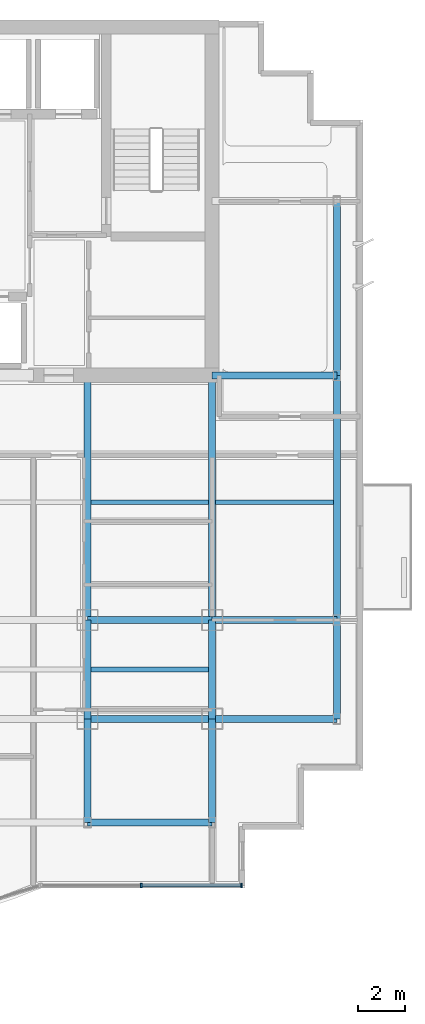
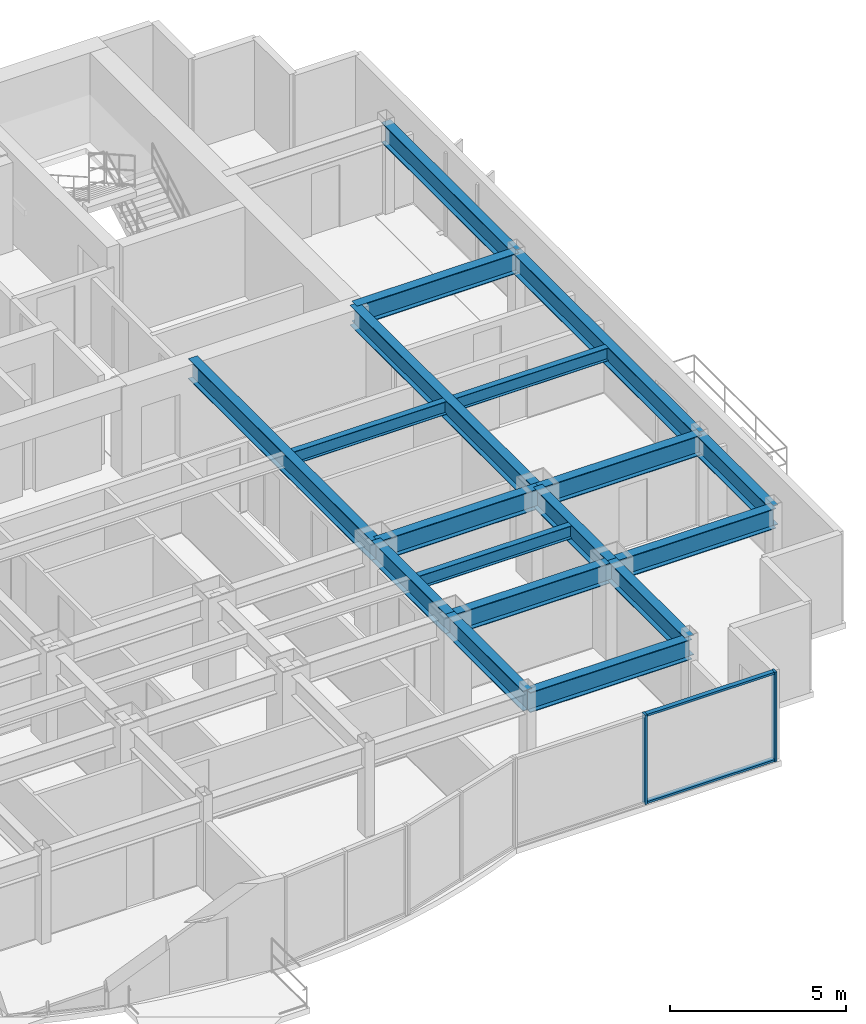
# One storey, part 4 of 11: 18 beams, 4 members, 1 element without a shape of its own.
"""IFC4 building model written with IfcOpenShell, lengths in metres."""

import ifcopenshell
import ifcopenshell.guid

model = None  # the IFC model being written
_history = None  # IfcOwnerHistory: only IFC2X3 demands one
_inside = {}  # id of a spatial element -> (the spatial element, [elements in it])
_under = {}  # id of a project, library or spatial element -> (it, [spatial elements below it])
_declared = {}  # id of a project -> (the project, [libraries it declares])
_typed = {}  # id of a type object -> (the type object, [elements of that type])
_made_of = {}  # id of a material, layer set ... -> (it, [elements and type objects made of it])


def new_model(schema):
    """Start an empty IFC model of exactly this schema.

    Asked for "IFC4X3", IfcOpenShell would pick the latest addendum, in which some entities
    have other attributes; the version numbers below select the first issue.
    IFC2X3 requires an IfcOwnerHistory on every rooted entity: one is made here for all.
    """
    global model, _history
    if schema == "IFC4X3":
        model = ifcopenshell.file(schema_version=(4, 3, 0, 0))
    else:
        model = ifcopenshell.file(schema=schema)
    _inside.clear()
    _under.clear()
    _declared.clear()
    _typed.clear()
    _made_of.clear()
    _history = None
    if model.schema == "IFC2X3":
        org = make("IfcOrganization", Name="unknown")
        user = make(
            "IfcPersonAndOrganization",
            ThePerson=make("IfcPerson", FamilyName="unknown"),
            TheOrganization=org,
        )
        app = make(
            "IfcApplication",
            ApplicationDeveloper=org,
            Version="unknown",
            ApplicationFullName="unknown",
            ApplicationIdentifier="unknown",
        )
        _history = make(
            "IfcOwnerHistory",
            OwningUser=user,
            OwningApplication=app,
            ChangeAction="ADDED",
            CreationDate=0,
        )
    return model


def make(cls, **values):
    """One entity of the class cls with the attributes given. An attribute that is None is left unset."""
    return model.create_entity(
        cls, **{name: value for name, value in values.items() if value is not None}
    )


def rooted(cls, **values):
    """An entity with a GlobalId (a new one), such as an element, a storey or a relation."""
    return make(cls, GlobalId=ifcopenshell.guid.new(), OwnerHistory=_history, **values)


def si_unit(unit_type, name, prefix=None):
    """IfcSIUnit, for example si_unit("LENGTHUNIT", "METRE", prefix="MILLI")."""
    return make("IfcSIUnit", UnitType=unit_type, Prefix=prefix, Name=name)


def assignment(units):
    """IfcUnitAssignment: the units of a project."""
    return None if units is None else make("IfcUnitAssignment", Units=units)


def point(xyz):
    """IfcCartesianPoint."""
    return None if xyz is None else make("IfcCartesianPoint", Coordinates=xyz)


def direction(xyz):
    """IfcDirection."""
    return None if xyz is None else make("IfcDirection", DirectionRatios=xyz)


def frame(location, z_axis=None, x_axis=None):
    """IfcAxis2Placement3D, a coordinate frame: its origin and axes. An axis left out is left unset."""
    return make(
        "IfcAxis2Placement3D",
        Location=point(location),
        Axis=direction(z_axis),
        RefDirection=direction(x_axis),
    )


def frame_2d(location, x_axis=None):
    """IfcAxis2Placement2D, a coordinate frame in the plane: its origin and x axis."""
    return make(
        "IfcAxis2Placement2D", Location=point(location), RefDirection=direction(x_axis)
    )


def origin():
    """The frame at (0, 0, 0) with its axes left unset."""
    return frame((0.0, 0.0, 0.0))


def origin_2d():
    """The frame at (0, 0) in the plane with its x axis left unset."""
    return frame_2d((0.0, 0.0))


def place(relative_to, where):
    """IfcLocalPlacement: puts the frame where relative to a parent placement (None: the world)."""
    return make(
        "IfcLocalPlacement", PlacementRelTo=relative_to, RelativePlacement=where
    )


def context(
    kind, dimensions, precision=None, world=None, true_north=None, identifier=None
):
    """IfcGeometricRepresentationContext, for example the 3D "Model" context."""
    return make(
        "IfcGeometricRepresentationContext",
        ContextIdentifier=identifier,
        ContextType=kind,
        CoordinateSpaceDimension=dimensions,
        Precision=precision,
        WorldCoordinateSystem=world,
        TrueNorth=true_north,
    )


def subcontext(parent, identifier, kind, view, scale=None):
    """IfcGeometricRepresentationSubContext, for example "Body" below "Model"."""
    return make(
        "IfcGeometricRepresentationSubContext",
        ContextIdentifier=identifier,
        ContextType=kind,
        ParentContext=parent,
        TargetScale=scale,
        TargetView=view,
    )


def project(units=None, contexts=None):
    """IfcProject with its units and contexts."""
    return rooted(
        "IfcProject",
        Name="project",
        RepresentationContexts=contexts,
        UnitsInContext=assignment(units),
    )


def spatial(cls, under=None, at=None, **own):
    """A site, building, storey or space (cls), placed at a placement, below another one or the project."""
    s = rooted(cls, ObjectPlacement=at, **own)
    if under is not None:
        _under.setdefault(under.id(), (under, []))[1].append(s)
    return s


def profile(cls, at=None, kind="AREA", **sizes):
    """A parametric profile (cls). Its sizes go by their IFC names, for example OverallWidth=200.0."""
    return make(cls, ProfileType=kind, Position=at, **sizes)


def rectangle(**sizes):
    """IfcRectangleProfileDef."""
    return profile("IfcRectangleProfileDef", **sizes)


def i_section(**sizes):
    """IfcIShapeProfileDef."""
    return profile("IfcIShapeProfileDef", **sizes)


def extrude(swept, where, along, depth):
    """IfcExtrudedAreaSolid: the profile swept, set in the frame where, extruded along a direction by depth."""
    return make(
        "IfcExtrudedAreaSolid",
        SweptArea=swept,
        Position=where,
        ExtrudedDirection=direction(along),
        Depth=depth,
    )


def shape(context_of_items, identifier, shape_type, items):
    """IfcShapeRepresentation: the items that make up one representation, for example the "Body"."""
    return make(
        "IfcShapeRepresentation",
        ContextOfItems=context_of_items,
        RepresentationIdentifier=identifier,
        RepresentationType=shape_type,
        Items=items,
    )


def source(mapping_origin, context_of_items, identifier, shape_type, items):
    """IfcRepresentationMap: a shape defined once, which mapped items show again and again."""
    return make(
        "IfcRepresentationMap",
        MappingOrigin=mapping_origin,
        MappedRepresentation=shape(context_of_items, identifier, shape_type, items),
    )


def transform(
    local_origin,
    x_axis=None,
    y_axis=None,
    z_axis=None,
    scale=None,
    scale2=None,
    scale3=None,
    uniform=True,
):
    """IfcCartesianTransformationOperator3D, or its non-uniform kind. x_axis, y_axis, z_axis: its Axis1, 2, 3."""
    if uniform:
        return make(
            "IfcCartesianTransformationOperator3D",
            Axis1=direction(x_axis),
            Axis2=direction(y_axis),
            LocalOrigin=point(local_origin),
            Scale=scale,
            Axis3=direction(z_axis),
        )
    return make(
        "IfcCartesianTransformationOperator3DnonUniform",
        Axis1=direction(x_axis),
        Axis2=direction(y_axis),
        LocalOrigin=point(local_origin),
        Scale=scale,
        Axis3=direction(z_axis),
        Scale2=scale2,
        Scale3=scale3,
    )


def mapped(mapping_source, mapping_target):
    """IfcMappedItem: shows the shape of a source again, moved by a transform."""
    return make(
        "IfcMappedItem", MappingSource=mapping_source, MappingTarget=mapping_target
    )


def material(Name=None, Category=None):
    """IfcMaterial."""
    return make("IfcMaterial", Name=Name, Category=Category)


def layer(
    of_material, thickness, ventilated=None, Name=None, Category=None, Priority=None
):
    """IfcMaterialLayer: one layer of a wall or slab, of a material (None: an air gap)."""
    return make(
        "IfcMaterialLayer",
        Material=of_material,
        LayerThickness=thickness,
        IsVentilated=ventilated,
        Name=Name,
        Category=Category,
        Priority=Priority,
    )


def layer_set(layers, Name=None):
    """IfcMaterialLayerSet."""
    return make("IfcMaterialLayerSet", MaterialLayers=layers, LayerSetName=Name)


def material_profile(
    of_material, cross_section, Name=None, Category=None, Priority=None
):
    """IfcMaterialProfile: a cross section and its material."""
    return make(
        "IfcMaterialProfile",
        Name=Name,
        Material=of_material,
        Profile=cross_section,
        Priority=Priority,
        Category=Category,
    )


def profile_set(profiles, Name=None, composite=None):
    """IfcMaterialProfileSet."""
    return make(
        "IfcMaterialProfileSet",
        Name=Name,
        MaterialProfiles=profiles,
        CompositeProfile=composite,
    )


def made_of(thing, what):
    """Note that an element or type object is made of a material, layer set ...; save() writes the relation."""
    if what is not None:
        _made_of.setdefault(what.id(), (what, []))[1].append(thing)
    return thing


def type_object(cls, material=None, **own):
    """A type object (cls), such as IfcWallType, which elements share."""
    return made_of(rooted(cls, **own), material)


def element(
    cls,
    number,
    at=None,
    inside=None,
    cuts=None,
    type_object=None,
    material=None,
    context=None,
    identifier="Body",
    shape_type=None,
    held_by="IfcProductDefinitionShape",
    body=None,
    shapes=None,
    **own,
):
    """One element of the class cls, such as IfcWall. Its Tag is "e" and its number.

    at: its placement. inside: the storey or other place that contains it. cuts: it is an
    opening in that element (IfcRelVoidsElement). A single representation is given by context,
    identifier, shape_type and body (its items); several are given by shapes. held_by: the class
    of the entity that holds the representations. save() writes the other relations.
    """
    e = rooted(cls, Tag="e%d" % number, ObjectPlacement=at, **own)
    if body is not None:
        shapes = [shape(context, identifier, shape_type, body)]
    if shapes is not None:
        e.Representation = make(held_by, Representations=shapes)
    if inside is not None:
        _inside.setdefault(inside.id(), (inside, []))[1].append(e)
    if cuts is not None:
        rooted(
            "IfcRelVoidsElement", RelatingBuildingElement=cuts, RelatedOpeningElement=e
        )
    if type_object is not None:
        _typed.setdefault(type_object.id(), (type_object, []))[1].append(e)
    return made_of(e, material)


def aggregate(whole, parts):
    """IfcRelAggregates: a whole, such as a stair, and the parts it consists of."""
    return rooted("IfcRelAggregates", RelatingObject=whole, RelatedObjects=parts)


def save(model, path):
    """Write the relations noted so far, then the file.

    IfcRelAggregates (storeys below a building ...), IfcRelContainedInSpatialStructure (elements
    in a storey), IfcRelDefinesByType, IfcRelAssociatesMaterial and IfcRelDeclares: one each for
    every whole, place, type object, material and project.
    """
    for whole, parts in _under.values():
        aggregate(whole, parts)
    for where, things in _inside.values():
        rooted(
            "IfcRelContainedInSpatialStructure",
            RelatedElements=things,
            RelatingStructure=where,
        )
    for kind, things in _typed.values():
        rooted("IfcRelDefinesByType", RelatedObjects=things, RelatingType=kind)
    for what, things in _made_of.values():
        rooted("IfcRelAssociatesMaterial", RelatedObjects=things, RelatingMaterial=what)
    for by, libraries in _declared.values():
        rooted("IfcRelDeclares", RelatingContext=by, RelatedDefinitions=libraries)
    model.write(path)


model = new_model("IFC4")

# Units and contexts
model_context = context("Model", 3, precision=1e-05, world=origin(), true_north=direction((0.0, 1.0)))
body_context = subcontext(model_context, "Body", "Model", "MODEL_VIEW")
ifc_project = project(units=[si_unit("LENGTHUNIT", "METRE"), si_unit("AREAUNIT", "SQUARE_METRE"), si_unit("VOLUMEUNIT", "CUBIC_METRE"), si_unit("PLANEANGLEUNIT", "RADIAN"), si_unit("MASSUNIT", "GRAM", prefix="KILO")], contexts=[model_context])

# Site, building, storey
site_placement = place(None, origin())
site = spatial("IfcSite", under=ifc_project, at=site_placement, CompositionType="ELEMENT")
building_placement = place(site_placement, origin())
building = spatial("IfcBuilding", under=site, at=building_placement, Name="Qianlan Lanfeng Residences", CompositionType="ELEMENT")
storey_placement = place(building_placement, frame((0.0, 0.0, 149.10009765625)))
storey = spatial("IfcBuildingStorey", under=building, at=storey_placement, Name="L40", CompositionType="ELEMENT", Elevation=149.10009765625)

# Beams
ifc_material_1 = material(Name="Steel SN490B", Category="steel")
ifc_material_profile_1 = material_profile(ifc_material_1, i_section(OverallWidth=0.300048828125, OverallDepth=0.699951171875, WebThickness=0.012939453125, FlangeThickness=0.02392578125, at=origin_2d()), Name="H 700x300x13x24")
ifc_profile_set_1 = profile_set([ifc_material_profile_1], Name="Steel SN490B")
beam_type_1 = type_object("IfcBeamType", Name="G-750", PredefinedType="BEAM", material=ifc_profile_set_1)
beam_1_placement = place(storey_placement, frame((37.10009765625, 10.60009765625, 2.75), z_axis=(1.0, 0.0, 0.0), x_axis=(0.0, 1.0, 0.0)))
element("IfcBeam", 1, at=beam_1_placement, inside=storey, type_object=beam_type_1, Name="Structural beam G-750", PredefinedType="BEAM", context=body_context, shape_type="SweptSolid", body=[
    extrude(i_section(OverallWidth=0.300048828125, OverallDepth=0.699951171875, WebThickness=0.012939453125, FlangeThickness=0.02392578125, at=origin_2d()), origin(), (0.0, 0.0, 1.0), 5.2998046875),
])
beam_2_placement = place(storey_placement, frame((42.39990234375, 10.60009765625, 2.75), z_axis=(1.0, 0.0, 0.0), x_axis=(0.0, 1.0, 0.0)))
element("IfcBeam", 2, at=beam_2_placement, inside=storey, type_object=beam_type_1, Name="Structural beam G-750", PredefinedType="BEAM", context=body_context, shape_type="SweptSolid", body=[
    extrude(i_section(OverallWidth=0.300048828125, OverallDepth=0.699951171875, WebThickness=0.012939453125, FlangeThickness=0.02392578125, at=origin_2d()), origin(), (0.0, 0.0, 1.0), 5.300048828125),
])
beam_3_placement = place(storey_placement, frame((37.10009765625, 14.800048828125, 2.75), z_axis=(1.0, 0.0, 0.0), x_axis=(0.0, 1.0, 0.0)))
element("IfcBeam", 3, at=beam_3_placement, inside=storey, type_object=beam_type_1, Name="Structural beam G-750", PredefinedType="BEAM", context=body_context, shape_type="SweptSolid", body=[
    extrude(i_section(OverallWidth=0.300048828125, OverallDepth=0.699951171875, WebThickness=0.012939453125, FlangeThickness=0.02392578125, at=origin_2d()), origin(), (0.0, 0.0, 1.0), 5.2998046875),
])
for number, where, z_axis, x_axis, name in (
    (4, (42.39990234375, 14.800048828125, 2.75), (1.0, 0.0, 0.0), (0.0, 1.0, 0.0), "Structural beam G-750"),
    (5, (42.39990234375, 25.199951171875, 2.75), (1.0, 0.0, 0.0), (0.0, 1.0, 0.0), "Structural beam G-750"),
):
    element("IfcBeam", number, at=place(storey_placement, frame(where, z_axis=z_axis, x_axis=x_axis)), inside=storey, type_object=beam_type_1, Name=name, PredefinedType="BEAM", context=body_context, shape_type="SweptSolid", body=[
        extrude(i_section(OverallWidth=0.300048828125, OverallDepth=0.699951171875, WebThickness=0.012939453125, FlangeThickness=0.02392578125, at=origin_2d()), origin(), (0.0, 0.0, 1.0), 5.300048828125),
    ])
beam_4_placement = place(storey_placement, frame((37.10009765625, 6.199951171875, 2.75), z_axis=(0.0, 1.0, 0.0), x_axis=(-1.0, 0.0, 0.0)))
element("IfcBeam", 6, at=beam_4_placement, inside=storey, type_object=beam_type_1, Name="Structural beam G-750", PredefinedType="BEAM", context=body_context, shape_type="SweptSolid", body=[
    extrude(i_section(OverallWidth=0.300048828125, OverallDepth=0.699951171875, WebThickness=0.012939453125, FlangeThickness=0.02392578125, at=origin_2d()), origin(), (0.0, 0.0, 1.0), 4.400146484375),
])
beam_5_placement = place(storey_placement, frame((37.10009765625, 10.60009765625, 2.75), z_axis=(0.0, 1.0, 0.0), x_axis=(-1.0, 0.0, 0.0)))
element("IfcBeam", 7, at=beam_5_placement, inside=storey, type_object=beam_type_1, Name="Structural beam G-750", PredefinedType="BEAM", context=body_context, shape_type="SweptSolid", body=[
    extrude(i_section(OverallWidth=0.300048828125, OverallDepth=0.699951171875, WebThickness=0.012939453125, FlangeThickness=0.02392578125, at=origin_2d()), origin(), (0.0, 0.0, 1.0), 4.199951171875),
])
beam_6_placement = place(storey_placement, frame((37.10009765625, 14.800048828125, 2.75), z_axis=(0.0, 1.0, 0.0), x_axis=(-1.0, 0.0, 0.0)))
element("IfcBeam", 8, at=beam_6_placement, inside=storey, type_object=beam_type_1, Name="Structural beam G-750", PredefinedType="BEAM", context=body_context, shape_type="SweptSolid", body=[
    extrude(i_section(OverallWidth=0.300048828125, OverallDepth=0.699951171875, WebThickness=0.012939453125, FlangeThickness=0.02392578125, at=origin_2d()), origin(), (0.0, 0.0, 1.0), 10.39990234375),
])
beam_7_placement = place(storey_placement, frame((42.39990234375, 6.199951171875, 2.75), z_axis=(0.0, 1.0, 0.0), x_axis=(-1.0, 0.0, 0.0)))
element("IfcBeam", 9, at=beam_7_placement, inside=storey, type_object=beam_type_1, Name="Structural beam G-750", PredefinedType="BEAM", context=body_context, shape_type="SweptSolid", body=[
    extrude(i_section(OverallWidth=0.300048828125, OverallDepth=0.699951171875, WebThickness=0.012939453125, FlangeThickness=0.02392578125, at=origin_2d()), origin(), (0.0, 0.0, 1.0), 4.400146484375),
])
beam_8_placement = place(storey_placement, frame((42.39990234375, 10.60009765625, 2.75), z_axis=(0.0, 1.0, 0.0), x_axis=(-1.0, 0.0, 0.0)))
element("IfcBeam", 10, at=beam_8_placement, inside=storey, type_object=beam_type_1, Name="Structural beam G-750", PredefinedType="BEAM", context=body_context, shape_type="SweptSolid", body=[
    extrude(i_section(OverallWidth=0.300048828125, OverallDepth=0.699951171875, WebThickness=0.012939453125, FlangeThickness=0.02392578125, at=origin_2d()), origin(), (0.0, 0.0, 1.0), 4.199951171875),
])
beam_9_placement = place(storey_placement, frame((42.39990234375, 14.800048828125, 2.75), z_axis=(0.0, 1.0, 0.0), x_axis=(-1.0, 0.0, 0.0)))
element("IfcBeam", 11, at=beam_9_placement, inside=storey, type_object=beam_type_1, Name="Structural beam G-750", PredefinedType="BEAM", context=body_context, shape_type="SweptSolid", body=[
    extrude(i_section(OverallWidth=0.300048828125, OverallDepth=0.699951171875, WebThickness=0.012939453125, FlangeThickness=0.02392578125, at=origin_2d()), origin(), (0.0, 0.0, 1.0), 10.39990234375),
])
ifc_material_profile_2 = material_profile(ifc_material_1, i_section(OverallWidth=0.199951171875, OverallDepth=0.449951171875, WebThickness=0.009033203125, FlangeThickness=0.013916015625, at=origin_2d()), Name="H 450x200x9x14")
ifc_profile_set_2 = profile_set([ifc_material_profile_2], Name="Steel SN490B")
beam_type_2 = type_object("IfcBeamType", Name="J-450", PredefinedType="JOIST", material=ifc_profile_set_2)
for number, where, z_axis, x_axis, name in (
    (12, (37.25, 12.699951171875, 2.875), (1.0, 0.0, 0.0), (0.0, 1.0, 0.0), "Structural beam J-450"),
    (13, (37.25, 19.800048828125, 2.875), (1.0, 0.0, 0.0), (0.0, 1.0, 0.0), "Structural beam J-450"),
    (14, (42.550048828125, 19.800048828125, 2.875), (1.0, 0.0, 0.0), (0.0, 1.0, 0.0), "Structural beam J-450"),
):
    element("IfcBeam", number, at=place(storey_placement, frame(where, z_axis=z_axis, x_axis=x_axis)), inside=storey, type_object=beam_type_2, Name=name, PredefinedType="JOIST", context=body_context, shape_type="SweptSolid", body=[
        extrude(i_section(OverallWidth=0.199951171875, OverallDepth=0.449951171875, WebThickness=0.009033203125, FlangeThickness=0.013916015625, at=origin_2d()), origin(), (0.0, 0.0, 1.0), 5.0),
    ])
ifc_material_profile_3 = material_profile(ifc_material_1, i_section(OverallWidth=0.300048828125, OverallDepth=0.699951171875, WebThickness=0.012939453125, FlangeThickness=0.02392578125, at=origin_2d()), Name="H 700x300x13x24")
ifc_profile_set_3 = profile_set([ifc_material_profile_3], Name="Steel SN490B")
beam_type_3 = type_object("IfcBeamType", Name="SG-750", PredefinedType="SPANDREL", material=ifc_profile_set_3)
beam_10_placement = place(storey_placement, frame((37.10009765625, 6.199951171875, 2.739990234375), z_axis=(1.0, 0.0, 0.0), x_axis=(0.0, 1.0, 0.0)))
element("IfcBeam", 15, at=beam_10_placement, inside=storey, type_object=beam_type_3, Name="Structural beam SG-750", PredefinedType="SPANDREL", context=body_context, shape_type="SweptSolid", body=[
    extrude(i_section(OverallWidth=0.300048828125, OverallDepth=0.699951171875, WebThickness=0.012939453125, FlangeThickness=0.02392578125, at=origin_2d()), origin(), (0.0, 0.0, 1.0), 5.2998046875),
])
beam_11_placement = place(storey_placement, frame((47.699951171875, 10.60009765625, 2.739990234375), z_axis=(0.0, 1.0, 0.0), x_axis=(-1.0, 0.0, 0.0)))
element("IfcBeam", 16, at=beam_11_placement, inside=storey, type_object=beam_type_3, Name="Structural beam SG-750", PredefinedType="SPANDREL", context=body_context, shape_type="SweptSolid", body=[
    extrude(i_section(OverallWidth=0.300048828125, OverallDepth=0.699951171875, WebThickness=0.012939453125, FlangeThickness=0.02392578125, at=origin_2d()), origin(), (0.0, 0.0, 1.0), 4.199951171875),
])
beam_12_placement = place(storey_placement, frame((47.699951171875, 14.800048828125, 2.739990234375), z_axis=(0.0, 1.0, 0.0), x_axis=(-1.0, 0.0, 0.0)))
element("IfcBeam", 17, at=beam_12_placement, inside=storey, type_object=beam_type_3, Name="Structural beam SG-750", PredefinedType="SPANDREL", context=body_context, shape_type="SweptSolid", body=[
    extrude(i_section(OverallWidth=0.300048828125, OverallDepth=0.699951171875, WebThickness=0.012939453125, FlangeThickness=0.02392578125, at=origin_2d()), origin(), (0.0, 0.0, 1.0), 10.39990234375),
])
beam_13_placement = place(storey_placement, frame((47.699951171875, 25.199951171875, 2.739990234375), z_axis=(0.0, 1.0, 0.0), x_axis=(-1.0, 0.0, 0.0)))
element("IfcBeam", 18, at=beam_13_placement, inside=storey, type_object=beam_type_3, Name="Structural beam SG-750", PredefinedType="SPANDREL", context=body_context, shape_type="SweptSolid", body=[
    extrude(i_section(OverallWidth=0.300048828125, OverallDepth=0.699951171875, WebThickness=0.012939453125, FlangeThickness=0.02392578125, at=origin_2d()), origin(), (0.0, 0.0, 1.0), 7.400146484375),
])

# Curtain wall, members
ifc_material_2 = material(Name="Anodised Bronze Aluminium 6063-T6", Category="aluminium")
ifc_layer = layer(ifc_material_2, 0.219970703125)
ifc_layer_set = layer_set([ifc_layer], Name="Anodised Bronze Aluminium 6063-T6")
curtain_wall_type = type_object("IfcCurtainWallType", Name="CW-04", PredefinedType="NOTDEFINED", material=ifc_layer_set)
curtain_wall_placement = place(storey_placement, origin())
curtain_wall = element("IfcCurtainWall", 19, at=curtain_wall_placement, inside=storey, type_object=curtain_wall_type, Name="L40 Unitised Curtain Wall CWR-L40-05 (CW-04)", PredefinedType="NOTDEFINED")
ifc_material_profile_4 = material_profile(ifc_material_2, rectangle(XDim=0.074951171875, YDim=0.14990234375, at=origin_2d()), Name="ALU TRANSOM 75x150")
ifc_profile_set_4 = profile_set([ifc_material_profile_4], Name="Anodised Bronze Aluminium 6063-T6")
member_type_1 = type_object("IfcMemberType", Name="CWT-150", PredefinedType="USERDEFINED", material=ifc_profile_set_4)
shared_shape_1 = source(origin(), body_context, "Body", "SweptSolid", [
    extrude(rectangle(XDim=0.074951171875, YDim=0.14990234375, at=origin_2d()), origin(), (0.0, 0.0, 1.0), 4.178955078125),
])
member_1_placement = place(storey_placement, frame((39.426025390625, 3.52001953125, 0.037353515625), z_axis=(1.0, 0.0, 0.0), x_axis=(0.0, 0.0, 1.0)))
member_1 = element("IfcMember", 20, at=member_1_placement, type_object=member_type_1, Name="CWR-L40-05 Transom 2-BOT", ObjectType="TRANSOM", PredefinedType="USERDEFINED", context=body_context, shape_type="MappedRepresentation", body=[
    mapped(shared_shape_1, transform((0.0, 0.0, 0.0), scale=1.0)),
])
member_2_placement = place(storey_placement, frame((39.426025390625, 3.52001953125, 3.0625), z_axis=(1.0, 0.0, 0.0), x_axis=(0.0, 0.0, 1.0)))
member_2 = element("IfcMember", 21, at=member_2_placement, type_object=member_type_1, Name="CWR-L40-05 Transom 2-TOP", ObjectType="TRANSOM", PredefinedType="USERDEFINED", context=body_context, shape_type="MappedRepresentation", body=[
    mapped(shared_shape_1, transform((0.0, 0.0, 0.0), scale=1.0)),
])
ifc_material_profile_5 = material_profile(ifc_material_2, rectangle(XDim=0.074951171875, YDim=0.179931640625, at=origin_2d()), Name="ALU MULLION 75x180")
ifc_profile_set_5 = profile_set([ifc_material_profile_5], Name="Anodised Bronze Aluminium 6063-T6")
member_type_2 = type_object("IfcMemberType", Name="CWM-180", PredefinedType="MULLION", material=ifc_profile_set_5)
shared_shape_2 = source(origin(), body_context, "Body", "SweptSolid", [
    extrude(rectangle(XDim=0.074951171875, YDim=0.179931640625, at=origin_2d()), origin(), (0.0, 0.0, 1.0), 3.099853515625),
])
member_3_placement = place(storey_placement, frame((39.388427734375, 3.52001953125, 0.0), z_axis=(0.0, 0.0, 1.0), x_axis=(1.0, 0.0, 0.0)))
member_3 = element("IfcMember", 22, at=member_3_placement, type_object=member_type_2, Name="CWR-L40-05 Mullion 2", PredefinedType="MULLION", context=body_context, shape_type="MappedRepresentation", body=[
    mapped(shared_shape_2, transform((0.0, 0.0, 0.0), scale=1.0)),
])
member_4_placement = place(storey_placement, frame((43.642578125, 3.52001953125, 0.0), z_axis=(0.0, 0.0, 1.0), x_axis=(1.0, 0.0, 0.0)))
member_4 = element("IfcMember", 23, at=member_4_placement, type_object=member_type_2, Name="CWR-L40-05 Mullion 3", PredefinedType="MULLION", context=body_context, shape_type="MappedRepresentation", body=[
    mapped(shared_shape_2, transform((0.0, 0.0, 0.0), scale=1.0)),
])
aggregate(curtain_wall, [member_3, member_4, member_1, member_2])

save(model, "model.ifc")
